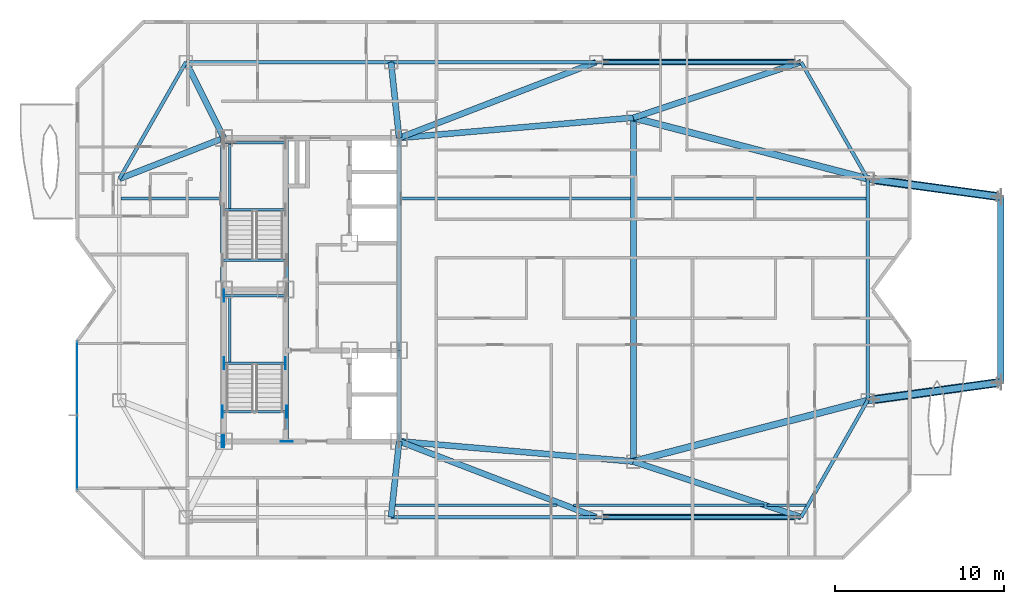
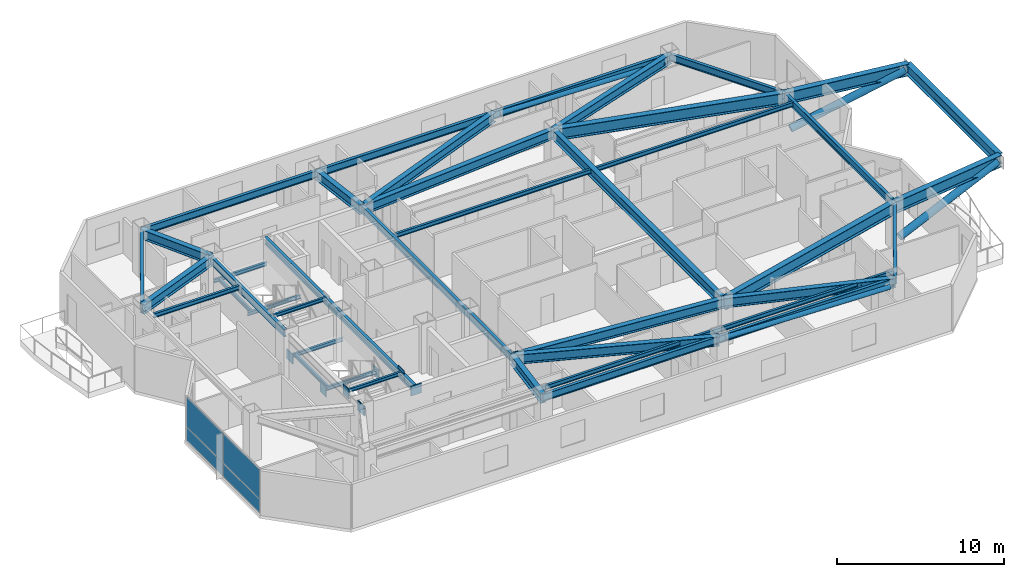
# One storey, part 5 of 14: 44 beams, 12 plates, 4 members, 1 element without a shape of its own.
"""IFC4 building model written with IfcOpenShell, lengths in metres."""

from ifc_helpers import new_model, si_unit, direction, frame, origin, origin_2d, place, context, subcontext, project, spatial, rectangle, hollow_circle, i_section, extrude, material, layer, layer_set, material_profile, profile_set, type_object, element, aggregate, save


model = new_model("IFC4")

# Units and contexts
model_context = context("Model", 3, precision=1e-05, world=origin(), true_north=direction((0.0, 1.0)))
body_context = subcontext(model_context, "Body", "Model", "MODEL_VIEW")
ifc_project = project(units=[si_unit("LENGTHUNIT", "METRE"), si_unit("AREAUNIT", "SQUARE_METRE"), si_unit("VOLUMEUNIT", "CUBIC_METRE"), si_unit("PLANEANGLEUNIT", "RADIAN"), si_unit("MASSUNIT", "GRAM", prefix="KILO")], contexts=[model_context])

# Site, building, storey
site_placement = place(None, origin())
site = spatial("IfcSite", under=ifc_project, at=site_placement, CompositionType="ELEMENT")
building_placement = place(site_placement, origin())
building = spatial("IfcBuilding", under=site, at=building_placement, Name="Khamvora Tower", CompositionType="ELEMENT")
storey_placement = place(building_placement, frame((0.0, 0.0, 261.0)))
storey = spatial("IfcBuildingStorey", under=building, at=storey_placement, Name="L67", CompositionType="ELEMENT", Elevation=261.0)

# Beams
ifc_material_1 = material(Name="Steel S355", Category="steel")
ifc_material_profile_1 = material_profile(ifc_material_1, i_section(OverallWidth=0.166015625, OverallDepth=0.31298828125, WebThickness=0.007080078125, FlangeThickness=0.010986328125, FilletRadius=0.010009765625, at=origin_2d()), Name="W310x45")
ifc_profile_set_1 = profile_set([ifc_material_profile_1], Name="Steel S355")
beam_type_1 = type_object("IfcBeamType", Name="BM-JS-W310x45", PredefinedType="JOIST", material=ifc_profile_set_1)
beam_1_placement = place(storey_placement, frame((39.166015625, 15.199951171875, 3.113037109375), z_axis=(1.0, 0.0, 0.0), x_axis=(0.0, 1.0, 0.0)))
element("IfcBeam", 1, at=beam_1_placement, inside=storey, type_object=beam_type_1, Name="L67 secondary floor joist 02", PredefinedType="JOIST", context=body_context, shape_type="SweptSolid", body=[
    extrude(i_section(OverallWidth=0.166015625, OverallDepth=0.31298828125, WebThickness=0.007080078125, FlangeThickness=0.010986328125, FilletRadius=0.010009765625, at=origin_2d()), origin(), (0.0, 0.0, 1.0), 9.611083984375),
])
beam_2_placement = place(storey_placement, frame((49.75390625, 15.199951171875, 3.113037109375), z_axis=(1.0, 0.0, 0.0), x_axis=(0.0, 1.0, 0.0)))
element("IfcBeam", 2, at=beam_2_placement, inside=storey, type_object=beam_type_1, Name="L67 secondary floor joist 03", PredefinedType="JOIST", context=body_context, shape_type="SweptSolid", body=[
    extrude(i_section(OverallWidth=0.166015625, OverallDepth=0.31298828125, WebThickness=0.007080078125, FlangeThickness=0.010986328125, FilletRadius=0.010009765625, at=origin_2d()), origin(), (0.0, 0.0, 1.0), 11.2900390625),
])
beam_3_placement = place(storey_placement, frame((61.23388671875, 15.199951171875, 3.113037109375), z_axis=(1.0, 0.0, 0.0), x_axis=(0.0, 1.0, 0.0)))
element("IfcBeam", 3, at=beam_3_placement, inside=storey, type_object=beam_type_1, Name="L67 secondary floor joist 04", PredefinedType="JOIST", context=body_context, shape_type="SweptSolid", body=[
    extrude(i_section(OverallWidth=0.166015625, OverallDepth=0.31298828125, WebThickness=0.007080078125, FlangeThickness=0.010986328125, FilletRadius=0.010009765625, at=origin_2d()), origin(), (0.0, 0.0, 1.0), 2.300048828125),
])
beam_4_placement = place(storey_placement, frame((22.89892578125, 33.39990234375, 3.113037109375), z_axis=(1.0, 0.0, 0.0), x_axis=(0.0, 1.0, 0.0)))
element("IfcBeam", 4, at=beam_4_placement, inside=storey, type_object=beam_type_1, Name="L67 secondary floor joist 05", PredefinedType="JOIST", context=body_context, shape_type="SweptSolid", body=[
    extrude(i_section(OverallWidth=0.166015625, OverallDepth=0.31298828125, WebThickness=0.007080078125, FlangeThickness=0.010986328125, FilletRadius=0.010009765625, at=origin_2d()), origin(), (0.0, 0.0, 1.0), 5.901123046875),
])
beam_5_placement = place(storey_placement, frame((39.4990234375, 33.39990234375, 3.113037109375), z_axis=(1.0, 0.0, 0.0), x_axis=(0.0, 1.0, 0.0)))
element("IfcBeam", 5, at=beam_5_placement, inside=storey, type_object=beam_type_1, Name="L67 secondary floor joist 06", PredefinedType="JOIST", context=body_context, shape_type="SweptSolid", body=[
    extrude(i_section(OverallWidth=0.166015625, OverallDepth=0.31298828125, WebThickness=0.007080078125, FlangeThickness=0.010986328125, FilletRadius=0.010009765625, at=origin_2d()), origin(), (0.0, 0.0, 1.0), 13.6279296875),
])
beam_6_placement = place(storey_placement, frame((53.471923828125, 33.39990234375, 3.113037109375), z_axis=(1.0, 0.0, 0.0), x_axis=(0.0, 1.0, 0.0)))
element("IfcBeam", 6, at=beam_6_placement, inside=storey, type_object=beam_type_1, Name="L67 secondary floor joist 07", PredefinedType="JOIST", context=body_context, shape_type="SweptSolid", body=[
    extrude(i_section(OverallWidth=0.166015625, OverallDepth=0.31298828125, WebThickness=0.007080078125, FlangeThickness=0.010986328125, FilletRadius=0.010009765625, at=origin_2d()), origin(), (0.0, 0.0, 1.0), 13.628173828125),
])
ifc_material_profile_2 = material_profile(ifc_material_1, i_section(OverallWidth=0.14697265625, OverallDepth=0.261962890625, WebThickness=0.007080078125, FlangeThickness=0.010986328125, FilletRadius=0.008056640625, at=origin_2d()), Name="W250x39")
ifc_profile_set_2 = profile_set([ifc_material_profile_2], Name="Steel S355")
beam_type_2 = type_object("IfcBeamType", Name="BM-LN-W250x39", PredefinedType="LINTEL", material=ifc_profile_set_2)
for number, where, z_axis, x_axis, name in (
    (7, (29.0, 23.635009765625, 1.493896484375), (1.0, 0.0, 0.0), (0.0, 1.0, 0.0), "L67 ST-01 half-landing support beam 1.1"),
    (8, (29.0, 27.6298828125, 1.493896484375), (1.0, 0.0, 0.0), (0.0, 1.0, 0.0), "L67 ST-01 half-landing support beam 1.2"),
):
    element("IfcBeam", number, at=place(storey_placement, frame(where, z_axis=z_axis, x_axis=x_axis)), inside=storey, type_object=beam_type_2, Name=name, PredefinedType="LINTEL", context=body_context, shape_type="SweptSolid", body=[
        extrude(i_section(OverallWidth=0.14697265625, OverallDepth=0.261962890625, WebThickness=0.007080078125, FlangeThickness=0.010986328125, FilletRadius=0.008056640625, at=origin_2d()), origin(), (0.0, 0.0, 1.0), 3.64990234375),
    ])
beam_7_placement = place(storey_placement, frame((29.35009765625, 23.635009765625, 1.493896484375), z_axis=(0.0, 1.0, 0.0), x_axis=(-1.0, 0.0, 0.0)))
element("IfcBeam", 9, at=beam_7_placement, inside=storey, type_object=beam_type_2, Name="L67 ST-01 half-landing edge stringer 1", PredefinedType="LINTEL", context=body_context, shape_type="SweptSolid", body=[
    extrude(i_section(OverallWidth=0.14697265625, OverallDepth=0.261962890625, WebThickness=0.007080078125, FlangeThickness=0.010986328125, FilletRadius=0.008056640625, at=origin_2d()), origin(), (0.0, 0.0, 1.0), 3.994873046875),
])
for number, where, z_axis, x_axis, name in (
    (10, (29.0, 32.735107421875, 1.493896484375), (1.0, 0.0, 0.0), (0.0, 1.0, 0.0), "L67 ST-02 half-landing support beam 1.1"),
    (11, (29.0, 36.72998046875, 1.493896484375), (1.0, 0.0, 0.0), (0.0, 1.0, 0.0), "L67 ST-02 half-landing support beam 1.2"),
):
    element("IfcBeam", number, at=place(storey_placement, frame(where, z_axis=z_axis, x_axis=x_axis)), inside=storey, type_object=beam_type_2, Name=name, PredefinedType="LINTEL", context=body_context, shape_type="SweptSolid", body=[
        extrude(i_section(OverallWidth=0.14697265625, OverallDepth=0.261962890625, WebThickness=0.007080078125, FlangeThickness=0.010986328125, FilletRadius=0.008056640625, at=origin_2d()), origin(), (0.0, 0.0, 1.0), 3.64990234375),
    ])
beam_8_placement = place(storey_placement, frame((29.35009765625, 32.735107421875, 1.493896484375), z_axis=(0.0, 1.0, 0.0), x_axis=(-1.0, 0.0, 0.0)))
element("IfcBeam", 12, at=beam_8_placement, inside=storey, type_object=beam_type_2, Name="L67 ST-02 half-landing edge stringer 1", PredefinedType="LINTEL", context=body_context, shape_type="SweptSolid", body=[
    extrude(i_section(OverallWidth=0.14697265625, OverallDepth=0.261962890625, WebThickness=0.007080078125, FlangeThickness=0.010986328125, FilletRadius=0.008056640625, at=origin_2d()), origin(), (0.0, 0.0, 1.0), 3.994873046875),
])
for number, where, z_axis, x_axis, name in (
    (13, (28.89990234375, 20.75, 3.14404296875), (1.0, 0.0, 0.0), (0.0, 1.0, 0.0), "L67 exit stair ST-01 landing trimmer beam"),
    (14, (28.89990234375, 29.75, 3.14404296875), (1.0, 0.0, 0.0), (0.0, 1.0, 0.0), "L67 exit stair ST-02 landing trimmer beam"),
):
    element("IfcBeam", number, at=place(storey_placement, frame(where, z_axis=z_axis, x_axis=x_axis)), inside=storey, type_object=beam_type_2, Name=name, PredefinedType="LINTEL", context=body_context, shape_type="SweptSolid", body=[
        extrude(i_section(OverallWidth=0.14697265625, OverallDepth=0.261962890625, WebThickness=0.007080078125, FlangeThickness=0.010986328125, FilletRadius=0.008056640625, at=origin_2d()), origin(), (0.0, 0.0, 1.0), 3.830078125),
    ])
ifc_material_profile_3 = material_profile(ifc_material_1, i_section(OverallWidth=0.35498046875, OverallDepth=0.695068359375, WebThickness=0.014892578125, FlangeThickness=0.02490234375, FilletRadius=0.01611328125, at=origin_2d()), Name="W690x217")
ifc_profile_set_3 = profile_set([ifc_material_profile_3], Name="Steel S355")
beam_type_3 = type_object("IfcBeamType", Name="BM-PG-W690x217", PredefinedType="BEAM", material=ifc_profile_set_3)
beam_9_placement = place(storey_placement, frame((53.300048828125, 17.800048828125, 2.922119140625), z_axis=(0.0, 1.0, 0.0), x_axis=(-1.0, 0.0, 0.0)))
element("IfcBeam", 15, at=beam_9_placement, inside=storey, type_object=beam_type_3, Name="L67 longitudinal frame girder M1-M2", PredefinedType="BEAM", context=body_context, shape_type="SweptSolid", body=[
    extrude(i_section(OverallWidth=0.35498046875, OverallDepth=0.695068359375, WebThickness=0.014892578125, FlangeThickness=0.02490234375, FilletRadius=0.01611328125, at=origin_2d()), origin(), (0.0, 0.0, 1.0), 20.39990234375),
])
beam_10_placement = place(storey_placement, frame((39.39990234375, 19.0, 2.922119140625), z_axis=(-0.106700735484, -0.994291181218, 0.0), x_axis=(0.994291181218, -0.106700735484, 0.0)))
element("IfcBeam", 16, at=beam_10_placement, inside=storey, type_object=beam_type_3, Name="L67 primary floor girder S2", PredefinedType="BEAM", context=body_context, shape_type="SweptSolid", body=[
    extrude(i_section(OverallWidth=0.35498046875, OverallDepth=0.695068359375, WebThickness=0.014892578125, FlangeThickness=0.02490234375, FilletRadius=0.01611328125, at=origin_2d()), origin(), (0.0, 0.0, 1.0), 4.52587890625),
])
beam_11_placement = place(storey_placement, frame((39.39990234375, 19.0, 2.922119140625), z_axis=(0.933171601475, -0.359431164759, 0.0), x_axis=(0.359431164759, 0.933171601475, 0.0)))
element("IfcBeam", 17, at=beam_11_placement, inside=storey, type_object=beam_type_3, Name="L67 primary floor girder S3", PredefinedType="BEAM", context=body_context, shape_type="SweptSolid", body=[
    extrude(i_section(OverallWidth=0.35498046875, OverallDepth=0.695068359375, WebThickness=0.014892578125, FlangeThickness=0.02490234375, FilletRadius=0.01611328125, at=origin_2d()), origin(), (0.0, 0.0, 1.0), 12.519775390625),
])
beam_12_placement = place(storey_placement, frame((53.300048828125, 17.800048828125, 2.922119140625), z_axis=(0.949157330029, -0.314802101092, 0.0), x_axis=(0.314802101092, 0.949157330029, 0.0)))
element("IfcBeam", 18, at=beam_12_placement, inside=storey, type_object=beam_type_3, Name="L67 primary floor girder S4", PredefinedType="BEAM", context=body_context, shape_type="SweptSolid", body=[
    extrude(i_section(OverallWidth=0.35498046875, OverallDepth=0.695068359375, WebThickness=0.014892578125, FlangeThickness=0.02490234375, FilletRadius=0.01611328125, at=origin_2d()), origin(), (0.0, 0.0, 1.0), 10.48291015625),
])
beam_13_placement = place(storey_placement, frame((29.0, 37.0, 2.922119140625), z_axis=(-0.4472135955, 0.894427191, 0.0), x_axis=(-0.894427191, -0.4472135955, 0.0)))
element("IfcBeam", 19, at=beam_13_placement, inside=storey, type_object=beam_type_3, Name="L67 primary floor girder N1", PredefinedType="BEAM", context=body_context, shape_type="SweptSolid", body=[
    extrude(i_section(OverallWidth=0.35498046875, OverallDepth=0.695068359375, WebThickness=0.014892578125, FlangeThickness=0.02490234375, FilletRadius=0.01611328125, at=origin_2d()), origin(), (0.0, 0.0, 1.0), 5.03125),
])
beam_14_placement = place(storey_placement, frame((39.39990234375, 37.0, 2.922119140625), z_axis=(-0.106700735484, 0.994291181218, 0.0), x_axis=(-0.994291181218, -0.106700735484, 0.0)))
element("IfcBeam", 20, at=beam_14_placement, inside=storey, type_object=beam_type_3, Name="L67 primary floor girder N2", PredefinedType="BEAM", context=body_context, shape_type="SweptSolid", body=[
    extrude(i_section(OverallWidth=0.35498046875, OverallDepth=0.695068359375, WebThickness=0.014892578125, FlangeThickness=0.02490234375, FilletRadius=0.01611328125, at=origin_2d()), origin(), (0.0, 0.0, 1.0), 4.52587890625),
])
beam_15_placement = place(storey_placement, frame((39.39990234375, 37.0, 2.922119140625), z_axis=(0.933171601475, 0.359431164759, 0.0), x_axis=(-0.359431164759, 0.933171601475, 0.0)))
element("IfcBeam", 21, at=beam_15_placement, inside=storey, type_object=beam_type_3, Name="L67 primary floor girder N3", PredefinedType="BEAM", context=body_context, shape_type="SweptSolid", body=[
    extrude(i_section(OverallWidth=0.35498046875, OverallDepth=0.695068359375, WebThickness=0.014892578125, FlangeThickness=0.02490234375, FilletRadius=0.01611328125, at=origin_2d()), origin(), (0.0, 0.0, 1.0), 12.519775390625),
])
beam_16_placement = place(storey_placement, frame((53.300048828125, 38.199951171875, 2.922119140625), z_axis=(0.949157330029, 0.314802101092, 0.0), x_axis=(-0.314802101092, 0.949157330029, 0.0)))
element("IfcBeam", 22, at=beam_16_placement, inside=storey, type_object=beam_type_3, Name="L67 primary floor girder N4", PredefinedType="BEAM", context=body_context, shape_type="SweptSolid", body=[
    extrude(i_section(OverallWidth=0.35498046875, OverallDepth=0.695068359375, WebThickness=0.014892578125, FlangeThickness=0.02490234375, FilletRadius=0.01611328125, at=origin_2d()), origin(), (0.0, 0.0, 1.0), 10.48291015625),
])
beam_17_placement = place(storey_placement, frame((29.0, 37.0, 2.922119140625), z_axis=(-0.931294712743, -0.36426660294, 0.0), x_axis=(0.36426660294, -0.931294712743, 0.0)))
element("IfcBeam", 23, at=beam_17_placement, inside=storey, type_object=beam_type_3, Name="L67 primary floor girder W2", PredefinedType="BEAM", context=body_context, shape_type="SweptSolid", body=[
    extrude(i_section(OverallWidth=0.35498046875, OverallDepth=0.695068359375, WebThickness=0.014892578125, FlangeThickness=0.02490234375, FilletRadius=0.01611328125, at=origin_2d()), origin(), (0.0, 0.0, 1.0), 6.6572265625),
])
for number, where, z_axis, x_axis, name in (
    (24, (39.39990234375, 19.0, 2.922119140625), (0.996294564212, -0.08600663534, 0.0), (0.08600663534, 0.996294564212, 0.0), "L67 primary floor girder M1"),
    (25, (39.39990234375, 37.0, 2.922119140625), (0.996294564212, 0.08600663534, 0.0), (-0.08600663534, 0.996294564212, 0.0), "L67 primary floor girder M2"),
):
    element("IfcBeam", number, at=place(storey_placement, frame(where, z_axis=z_axis, x_axis=x_axis)), inside=storey, type_object=beam_type_3, Name=name, PredefinedType="BEAM", context=body_context, shape_type="SweptSolid", body=[
        extrude(i_section(OverallWidth=0.35498046875, OverallDepth=0.695068359375, WebThickness=0.014892578125, FlangeThickness=0.02490234375, FilletRadius=0.01611328125, at=origin_2d()), origin(), (0.0, 0.0, 1.0), 13.951904296875),
    ])
ifc_material_profile_4 = material_profile(ifc_material_1, i_section(OverallWidth=0.381103515625, OverallDepth=0.77294921875, WebThickness=0.01708984375, FlangeThickness=0.027099609375, FilletRadius=0.01806640625, at=origin_2d()), Name="W760x257")
ifc_profile_set_4 = profile_set([ifc_material_profile_4], Name="Steel S355")
beam_type_4 = type_object("IfcBeamType", Name="BM-PG-W760x257", PredefinedType="BEAM", material=ifc_profile_set_4)
beam_18_placement = place(storey_placement, frame((75.10009765625, 22.5, 2.883056640625), z_axis=(0.0, 1.0, 0.0), x_axis=(-1.0, 0.0, 0.0)))
element("IfcBeam", 26, at=beam_18_placement, inside=storey, type_object=beam_type_4, Name="L67 sky-pool outer ring header girder", PredefinedType="BEAM", context=body_context, shape_type="SweptSolid", body=[
    extrude(i_section(OverallWidth=0.381103515625, OverallDepth=0.77294921875, WebThickness=0.01708984375, FlangeThickness=0.027099609375, FilletRadius=0.01806640625, at=origin_2d()), origin(), (0.0, 0.0, 1.0), 11.0),
])
ifc_material_profile_5 = material_profile(ifc_material_1, i_section(OverallWidth=0.39990234375, OverallDepth=0.85498046875, WebThickness=0.01806640625, FlangeThickness=0.029052734375, FilletRadius=0.01806640625, at=origin_2d()), Name="W840x299")
ifc_profile_set_5 = profile_set([ifc_material_profile_5], Name="Steel S355")
beam_type_5 = type_object("IfcBeamType", Name="BM-PG-W840x299", PredefinedType="BEAM", material=ifc_profile_set_5)
beam_19_placement = place(storey_placement, frame((53.300048828125, 17.800048828125, 2.842041015625), z_axis=(0.967635318494, 0.252352710314, 0.0), x_axis=(-0.252352710314, 0.967635318494, 0.0)))
element("IfcBeam", 27, at=beam_19_placement, inside=storey, type_object=beam_type_5, Name="L67 sky-pool interior back-span girder 1", PredefinedType="BEAM", context=body_context, shape_type="SweptSolid", body=[
    extrude(i_section(OverallWidth=0.39990234375, OverallDepth=0.85498046875, WebThickness=0.01806640625, FlangeThickness=0.029052734375, FilletRadius=0.01806640625, at=origin_2d()), origin(), (0.0, 0.0, 1.0), 14.36474609375),
])
beam_20_placement = place(storey_placement, frame((67.199951171875, 21.425048828125, 2.842041015625), z_axis=(0.990869442892, 0.134824875832, 0.0), x_axis=(-0.134824875832, 0.990869442892, 0.0)))
element("IfcBeam", 28, at=beam_20_placement, inside=storey, type_object=beam_type_5, Name="L67 sky-pool upper cantilever girder 1", PredefinedType="BEAM", context=body_context, shape_type="SweptSolid", body=[
    extrude(i_section(OverallWidth=0.39990234375, OverallDepth=0.85498046875, WebThickness=0.01806640625, FlangeThickness=0.029052734375, FilletRadius=0.01806640625, at=origin_2d()), origin(), (0.0, 0.0, 1.0), 7.972900390625),
])
beam_21_placement = place(storey_placement, frame((53.300048828125, 38.199951171875, 2.842041015625), z_axis=(0.967635318494, -0.252352710314, 0.0), x_axis=(0.252352710314, 0.967635318494, 0.0)))
element("IfcBeam", 29, at=beam_21_placement, inside=storey, type_object=beam_type_5, Name="L67 sky-pool interior back-span girder 2", PredefinedType="BEAM", context=body_context, shape_type="SweptSolid", body=[
    extrude(i_section(OverallWidth=0.39990234375, OverallDepth=0.85498046875, WebThickness=0.01806640625, FlangeThickness=0.029052734375, FilletRadius=0.01806640625, at=origin_2d()), origin(), (0.0, 0.0, 1.0), 14.36474609375),
])
beam_22_placement = place(storey_placement, frame((67.199951171875, 34.574951171875, 2.842041015625), z_axis=(0.990869442892, -0.134824875832, 0.0), x_axis=(0.134824875832, 0.990869442892, 0.0)))
element("IfcBeam", 30, at=beam_22_placement, inside=storey, type_object=beam_type_5, Name="L67 sky-pool upper cantilever girder 2", PredefinedType="BEAM", context=body_context, shape_type="SweptSolid", body=[
    extrude(i_section(OverallWidth=0.39990234375, OverallDepth=0.85498046875, WebThickness=0.01806640625, FlangeThickness=0.029052734375, FilletRadius=0.01806640625, at=origin_2d()), origin(), (0.0, 0.0, 1.0), 7.972900390625),
])
ifc_material_profile_6 = material_profile(ifc_material_1, i_section(OverallWidth=0.208984375, OverallDepth=0.532958984375, WebThickness=0.010009765625, FlangeThickness=0.01611328125, FilletRadius=0.013916015625, at=origin_2d()), Name="W530x92")
ifc_profile_set_6 = profile_set([ifc_material_profile_6], Name="Steel S355")
beam_type_6 = type_object("IfcBeamType", Name="BM-SP-W530x92", PredefinedType="SPANDREL", material=ifc_profile_set_6)
beam_23_placement = place(storey_placement, frame((38.9169921875, 14.5, 3.0029296875), z_axis=(1.0, 0.0, 0.0), x_axis=(0.0, 1.0, 0.0)))
element("IfcBeam", 31, at=beam_23_placement, inside=storey, type_object=beam_type_6, Name="L67 perimeter spandrel beam S2-S3", PredefinedType="SPANDREL", context=body_context, shape_type="SweptSolid", body=[
    extrude(i_section(OverallWidth=0.208984375, OverallDepth=0.532958984375, WebThickness=0.010009765625, FlangeThickness=0.01611328125, FilletRadius=0.013916015625, at=origin_2d()), origin(), (0.0, 0.0, 1.0), 12.166015625),
])
beam_24_placement = place(storey_placement, frame((51.0830078125, 14.5, 3.0029296875), z_axis=(1.0, 0.0, 0.0), x_axis=(0.0, 1.0, 0.0)))
element("IfcBeam", 32, at=beam_24_placement, inside=storey, type_object=beam_type_6, Name="L67 perimeter spandrel beam S3-S4", PredefinedType="SPANDREL", context=body_context, shape_type="SweptSolid", body=[
    extrude(i_section(OverallWidth=0.208984375, OverallDepth=0.532958984375, WebThickness=0.010009765625, FlangeThickness=0.01611328125, FilletRadius=0.013916015625, at=origin_2d()), origin(), (0.0, 0.0, 1.0), 12.1669921875),
])
beam_25_placement = place(storey_placement, frame((63.25, 14.5, 3.0029296875), z_axis=(0.495456118564, 0.868632968853, 0.0), x_axis=(-0.868632968853, 0.495456118564, 0.0)))
element("IfcBeam", 33, at=beam_25_placement, inside=storey, type_object=beam_type_6, Name="L67 perimeter spandrel beam S4-E1", PredefinedType="SPANDREL", context=body_context, shape_type="SweptSolid", body=[
    extrude(i_section(OverallWidth=0.208984375, OverallDepth=0.532958984375, WebThickness=0.010009765625, FlangeThickness=0.01611328125, FilletRadius=0.013916015625, at=origin_2d()), origin(), (0.0, 0.0, 1.0), 7.972412109375),
])
beam_26_placement = place(storey_placement, frame((67.199951171875, 21.425048828125, 3.0029296875), z_axis=(0.0, 1.0, 0.0), x_axis=(-1.0, 0.0, 0.0)))
element("IfcBeam", 34, at=beam_26_placement, inside=storey, type_object=beam_type_6, Name="L67 perimeter spandrel beam E1-E2", PredefinedType="SPANDREL", context=body_context, shape_type="SweptSolid", body=[
    extrude(i_section(OverallWidth=0.208984375, OverallDepth=0.532958984375, WebThickness=0.010009765625, FlangeThickness=0.01611328125, FilletRadius=0.013916015625, at=origin_2d()), origin(), (0.0, 0.0, 1.0), 13.14990234375),
])
beam_27_placement = place(storey_placement, frame((67.199951171875, 34.574951171875, 3.0029296875), z_axis=(-0.495456118564, 0.868632968853, 0.0), x_axis=(-0.868632968853, -0.495456118564, 0.0)))
element("IfcBeam", 35, at=beam_27_placement, inside=storey, type_object=beam_type_6, Name="L67 perimeter spandrel beam E2-N4", PredefinedType="SPANDREL", context=body_context, shape_type="SweptSolid", body=[
    extrude(i_section(OverallWidth=0.208984375, OverallDepth=0.532958984375, WebThickness=0.010009765625, FlangeThickness=0.01611328125, FilletRadius=0.013916015625, at=origin_2d()), origin(), (0.0, 0.0, 1.0), 7.972412109375),
])
beam_28_placement = place(storey_placement, frame((63.25, 41.5, 3.0029296875), z_axis=(-1.0, 0.0, 0.0), x_axis=(0.0, -1.0, 0.0)))
element("IfcBeam", 36, at=beam_28_placement, inside=storey, type_object=beam_type_6, Name="L67 perimeter spandrel beam N4-N3", PredefinedType="SPANDREL", context=body_context, shape_type="SweptSolid", body=[
    extrude(i_section(OverallWidth=0.208984375, OverallDepth=0.532958984375, WebThickness=0.010009765625, FlangeThickness=0.01611328125, FilletRadius=0.013916015625, at=origin_2d()), origin(), (0.0, 0.0, 1.0), 12.1669921875),
])
beam_29_placement = place(storey_placement, frame((51.0830078125, 41.5, 3.0029296875), z_axis=(-1.0, 0.0, 0.0), x_axis=(0.0, -1.0, 0.0)))
element("IfcBeam", 37, at=beam_29_placement, inside=storey, type_object=beam_type_6, Name="L67 perimeter spandrel beam N3-N2", PredefinedType="SPANDREL", context=body_context, shape_type="SweptSolid", body=[
    extrude(i_section(OverallWidth=0.208984375, OverallDepth=0.532958984375, WebThickness=0.010009765625, FlangeThickness=0.01611328125, FilletRadius=0.013916015625, at=origin_2d()), origin(), (0.0, 0.0, 1.0), 12.166015625),
])
beam_30_placement = place(storey_placement, frame((38.9169921875, 41.5, 3.0029296875), z_axis=(-1.0, 0.0, 0.0), x_axis=(0.0, -1.0, 0.0)))
element("IfcBeam", 38, at=beam_30_placement, inside=storey, type_object=beam_type_6, Name="L67 perimeter spandrel beam N2-N1", PredefinedType="SPANDREL", context=body_context, shape_type="SweptSolid", body=[
    extrude(i_section(OverallWidth=0.208984375, OverallDepth=0.532958984375, WebThickness=0.010009765625, FlangeThickness=0.01611328125, FilletRadius=0.013916015625, at=origin_2d()), origin(), (0.0, 0.0, 1.0), 12.1669921875),
])
beam_31_placement = place(storey_placement, frame((26.75, 41.5, 3.0029296875), z_axis=(-0.495456118564, -0.868632968853, 0.0), x_axis=(0.868632968853, -0.495456118564, 0.0)))
element("IfcBeam", 39, at=beam_31_placement, inside=storey, type_object=beam_type_6, Name="L67 perimeter spandrel beam N1-W2", PredefinedType="SPANDREL", context=body_context, shape_type="SweptSolid", body=[
    extrude(i_section(OverallWidth=0.208984375, OverallDepth=0.532958984375, WebThickness=0.010009765625, FlangeThickness=0.01611328125, FilletRadius=0.013916015625, at=origin_2d()), origin(), (0.0, 0.0, 1.0), 7.972412109375),
])
for number, where, z_axis, x_axis, name in (
    (40, (28.89990234375, 28.0, 3.0029296875), (0.0, 1.0, 0.0), (-1.0, 0.0, 0.0), "L67 core spine girder WN"),
    (41, (32.72998046875, 19.0, 3.0029296875), (0.0, 1.0, 0.0), (-1.0, 0.0, 0.0), "L67 core spine girder M1S"),
    (42, (32.72998046875, 28.0, 3.0029296875), (0.0, 1.0, 0.0), (-1.0, 0.0, 0.0), "L67 core spine girder M1N"),
):
    element("IfcBeam", number, at=place(storey_placement, frame(where, z_axis=z_axis, x_axis=x_axis)), inside=storey, type_object=beam_type_6, Name=name, PredefinedType="SPANDREL", context=body_context, shape_type="SweptSolid", body=[
        extrude(i_section(OverallWidth=0.208984375, OverallDepth=0.532958984375, WebThickness=0.010009765625, FlangeThickness=0.01611328125, FilletRadius=0.013916015625, at=origin_2d()), origin(), (0.0, 0.0, 1.0), 9.0),
    ])
beam_32_placement = place(storey_placement, frame((39.39990234375, 19.0, 3.0029296875), z_axis=(0.0, 1.0, 0.0), x_axis=(-1.0, 0.0, 0.0)))
element("IfcBeam", 43, at=beam_32_placement, inside=storey, type_object=beam_type_6, Name="L67 core spine girder ES", PredefinedType="SPANDREL", context=body_context, shape_type="SweptSolid", body=[
    extrude(i_section(OverallWidth=0.208984375, OverallDepth=0.532958984375, WebThickness=0.010009765625, FlangeThickness=0.01611328125, FilletRadius=0.013916015625, at=origin_2d()), origin(), (0.0, 0.0, 1.0), 5.39990234375),
])
beam_33_placement = place(storey_placement, frame((39.39990234375, 24.39990234375, 3.0029296875), z_axis=(0.0, 1.0, 0.0), x_axis=(-1.0, 0.0, 0.0)))
element("IfcBeam", 44, at=beam_33_placement, inside=storey, type_object=beam_type_6, Name="L67 core spine girder EN", PredefinedType="SPANDREL", context=body_context, shape_type="SweptSolid", body=[
    extrude(i_section(OverallWidth=0.208984375, OverallDepth=0.532958984375, WebThickness=0.010009765625, FlangeThickness=0.01611328125, FilletRadius=0.013916015625, at=origin_2d()), origin(), (0.0, 0.0, 1.0), 12.60009765625),
])

# Members
ifc_material_profile_7 = material_profile(ifc_material_1, hollow_circle(Radius=0.177978515625, WallThickness=0.013916015625, at=origin_2d()), Name="CHS356x14")
ifc_profile_set_7 = profile_set([ifc_material_profile_7], Name="Steel S355")
member_type_1 = type_object("IfcMemberType", Name="MEM-BR-CHS356", PredefinedType="BRACE", material=ifc_profile_set_7)
for number, where, z_axis, x_axis, name in (
    (45, (62.8701171875, 14.5, 2.68994140625), (-0.999647463708, 0.0, 0.026550862564), (0.0, -1.0, 0.0), "L67 perimeter wind brace 1"),
    (46, (62.8701171875, 41.5, 2.68994140625), (-0.999647463708, 0.0, 0.026550862564), (0.0, -1.0, 0.0), "L67 perimeter wind brace 2"),
):
    element("IfcMember", number, at=place(storey_placement, frame(where, z_axis=z_axis, x_axis=x_axis)), inside=storey, type_object=member_type_1, Name=name, PredefinedType="BRACE", context=body_context, shape_type="SweptSolid", body=[
        extrude(hollow_circle(Radius=0.177978515625, WallThickness=0.013916015625, at=origin_2d()), origin(), (0.0, 0.0, 1.0), 11.4111328125),
    ])
ifc_material_2 = material(Name="Steel S460", Category="steel")
ifc_material_profile_8 = material_profile(ifc_material_2, hollow_circle(Radius=0.25390625, WallThickness=0.02490234375, at=origin_2d()), Name="CHS508x25")
ifc_profile_set_8 = profile_set([ifc_material_profile_8], Name="Steel S460")
member_type_2 = type_object("IfcMemberType", Name="MEM-BR-CHS508", PredefinedType="BRACE", material=ifc_profile_set_8)
for number, where, z_axis, x_axis, name in (
    (47, (67.55908203125, 21.47412109375, 0.464111328125), (0.945504534588, 0.12865484861, 0.299113866282), (-0.134827603418, 0.990869071753, 0.0), "L67 sky-pool raking web brace 1"),
    (48, (67.55908203125, 34.52587890625, 0.464111328125), (0.945504534588, -0.12865484861, 0.299113866282), (0.134827603418, 0.990869071753, 0.0), "L67 sky-pool raking web brace 2"),
):
    element("IfcMember", number, at=place(storey_placement, frame(where, z_axis=z_axis, x_axis=x_axis)), inside=storey, type_object=member_type_2, Name=name, PredefinedType="BRACE", context=body_context, shape_type="SweptSolid", body=[
        extrude(hollow_circle(Radius=0.25390625, WallThickness=0.02490234375, at=origin_2d()), origin(), (0.0, 0.0, 1.0), 7.755615234375),
    ])

# Curtain wall, plates
ifc_material_3 = material(Name="Anodised Aluminium 6063-T6", Category="aluminium")
curtain_wall_type = type_object("IfcCurtainWallType", Name="CW-SYS-05", PredefinedType="NOTDEFINED", material=ifc_material_3)
curtain_wall_placement = place(storey_placement, origin())
curtain_wall = element("IfcCurtainWall", 49, at=curtain_wall_placement, inside=storey, type_object=curtain_wall_type, Name="L67 stick curtain wall 02.1", PredefinedType="NOTDEFINED")
ifc_material_4 = material(Name="Low-E Laminated Double Glazing", Category="glass")
ifc_layer_1 = layer(ifc_material_4, 0.02587890625)
ifc_layer_set_1 = layer_set([ifc_layer_1], Name="Low-E Laminated Double Glazing")
plate_type_1 = type_object("IfcPlateType", Name="CW-SYS-05-PNL", PredefinedType="CURTAIN_PANEL", material=ifc_layer_set_1)
plate_1_placement = place(storey_placement, frame((20.300048828125, 18.334716796875, 0.06005859375), z_axis=(0.0, 0.0, 1.0), x_axis=(0.0, 1.0, 0.0)))
plate_1 = element("IfcPlate", 50, at=plate_1_placement, type_object=plate_type_1, Name="CW-05 panel 1.1", PredefinedType="CURTAIN_PANEL", context=body_context, shape_type="SweptSolid", body=[
    extrude(rectangle(XDim=4.341552734375, YDim=0.02587890625, at=origin_2d()), origin(), (0.0, 0.0, 1.0), 0.9599609375),
])
plate_2_placement = place(storey_placement, frame((20.300048828125, 18.334716796875, 1.080078125), z_axis=(0.0, 0.0, 1.0), x_axis=(0.0, 1.0, 0.0)))
plate_2 = element("IfcPlate", 51, at=plate_2_placement, type_object=plate_type_1, Name="CW-05 panel 1.2", PredefinedType="CURTAIN_PANEL", context=body_context, shape_type="SweptSolid", body=[
    extrude(rectangle(XDim=4.341552734375, YDim=0.02587890625, at=origin_2d()), origin(), (0.0, 0.0, 1.0), 2.1298828125),
])
plate_3_placement = place(storey_placement, frame((20.300048828125, 22.736328125, 0.06005859375), z_axis=(0.0, 0.0, 1.0), x_axis=(0.0, 1.0, 0.0)))
plate_3 = element("IfcPlate", 52, at=plate_3_placement, type_object=plate_type_1, Name="CW-05 panel 2.1", PredefinedType="CURTAIN_PANEL", context=body_context, shape_type="SweptSolid", body=[
    extrude(rectangle(XDim=4.341552734375, YDim=0.02587890625, at=origin_2d()), origin(), (0.0, 0.0, 1.0), 0.9599609375),
])
plate_4_placement = place(storey_placement, frame((20.300048828125, 22.736328125, 1.080078125), z_axis=(0.0, 0.0, 1.0), x_axis=(0.0, 1.0, 0.0)))
plate_4 = element("IfcPlate", 53, at=plate_4_placement, type_object=plate_type_1, Name="CW-05 panel 2.2", PredefinedType="CURTAIN_PANEL", context=body_context, shape_type="SweptSolid", body=[
    extrude(rectangle(XDim=4.341552734375, YDim=0.02587890625, at=origin_2d()), origin(), (0.0, 0.0, 1.0), 2.1298828125),
])
aggregate(curtain_wall, [plate_1, plate_2, plate_3, plate_4])

# Plates
ifc_layer_2 = layer(ifc_material_2, 0.034912109375)
ifc_layer_set_2 = layer_set([ifc_layer_2], Name="Steel S460")
plate_type_2 = type_object("IfcPlateType", Name="PL-EMB-35", PredefinedType="SHEET", material=ifc_layer_set_2)
for number, where, z_axis, x_axis, name in (
    (54, (29.0, 23.635009765625, 1.1337890625), (0.0, 0.0, 1.0), (1.0, 0.0, 0.0), "L67 core shear wall cast-in embed plate 1946"),
    (55, (32.64990234375, 23.635009765625, 1.1337890625), (0.0, 0.0, 1.0), (1.0, 0.0, 0.0), "L67 core shear wall cast-in embed plate 1947"),
    (56, (29.0, 27.6298828125, 1.1337890625), (0.0, 0.0, 1.0), (1.0, 0.0, 0.0), "L67 core shear wall cast-in embed plate 1948"),
    (57, (29.0, 19.0, 2.56201171875), (0.0, 0.0, 1.0), (1.0, 0.0, 0.0), "L67 core shear wall cast-in embed plate 1955"),
    (58, (28.89990234375, 19.0, 2.64306640625), (0.0, 0.0, 1.0), (1.0, 0.0, 0.0), "L67 core shear wall cast-in embed plate 1959"),
):
    element("IfcPlate", number, at=place(storey_placement, frame(where, z_axis=z_axis, x_axis=x_axis)), inside=storey, type_object=plate_type_2, Name=name, PredefinedType="SHEET", context=body_context, shape_type="SweptSolid", body=[
        extrude(rectangle(XDim=0.034912109375, YDim=0.719970703125, at=origin_2d()), origin(), (0.0, 0.0, 1.0), 0.719970703125),
    ])
plate_5_placement = place(storey_placement, frame((32.72998046875, 19.0, 2.64306640625), z_axis=(0.0, 0.0, 1.0), x_axis=(1.0, 0.0, 0.0)))
element("IfcPlate", 59, at=plate_5_placement, inside=storey, type_object=plate_type_2, Name="L67 core shear wall cast-in embed plate 1962", PredefinedType="SHEET", context=body_context, shape_type="SweptSolid", body=[
    extrude(rectangle(XDim=0.719970703125, YDim=0.034912109375, at=origin_2d()), origin(), (0.0, 0.0, 1.0), 0.719970703125),
])
for number, where, z_axis, x_axis, name in (
    (60, (28.89990234375, 20.75, 2.7841796875), (0.0, 0.0, 1.0), (1.0, 0.0, 0.0), "L67 core shear wall cast-in embed plate 1968"),
    (61, (32.72998046875, 20.75, 2.7841796875), (0.0, 0.0, 1.0), (1.0, 0.0, 0.0), "L67 core shear wall cast-in embed plate 1969"),
):
    element("IfcPlate", number, at=place(storey_placement, frame(where, z_axis=z_axis, x_axis=x_axis)), inside=storey, type_object=plate_type_2, Name=name, PredefinedType="SHEET", context=body_context, shape_type="SweptSolid", body=[
        extrude(rectangle(XDim=0.034912109375, YDim=0.719970703125, at=origin_2d()), origin(), (0.0, 0.0, 1.0), 0.719970703125),
    ])

save(model, "model.ifc")
